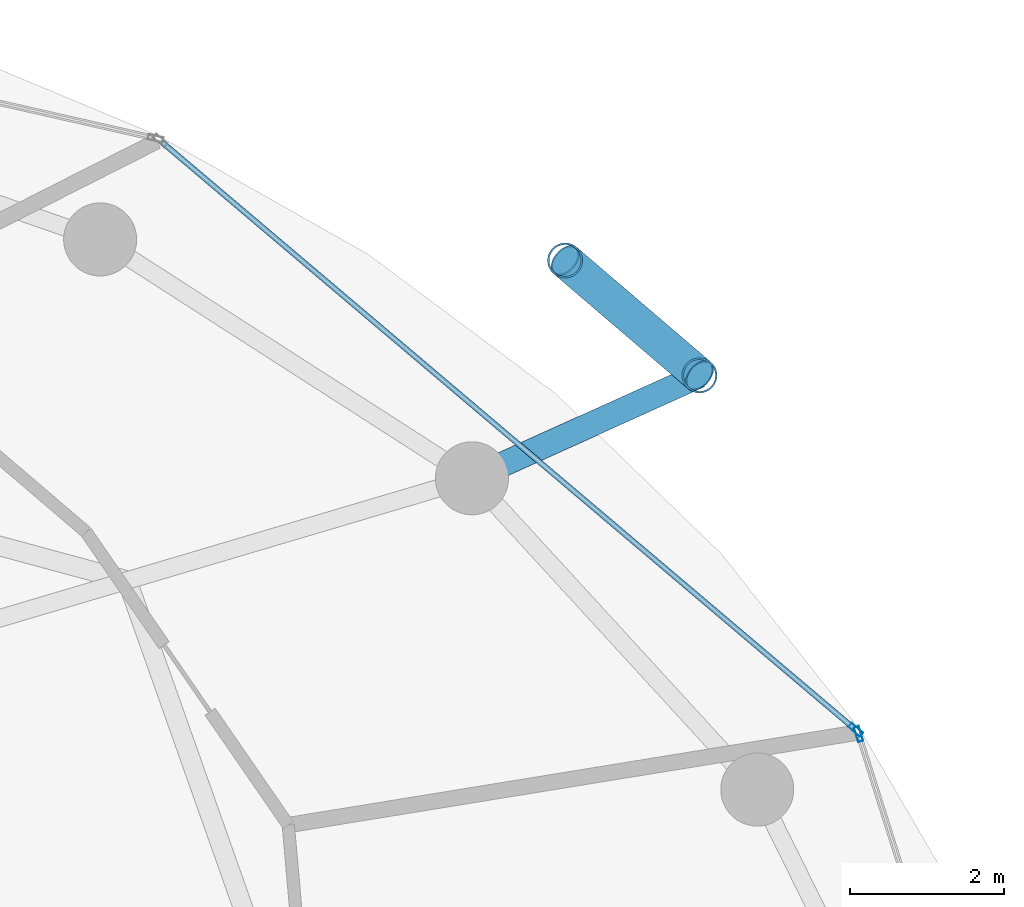
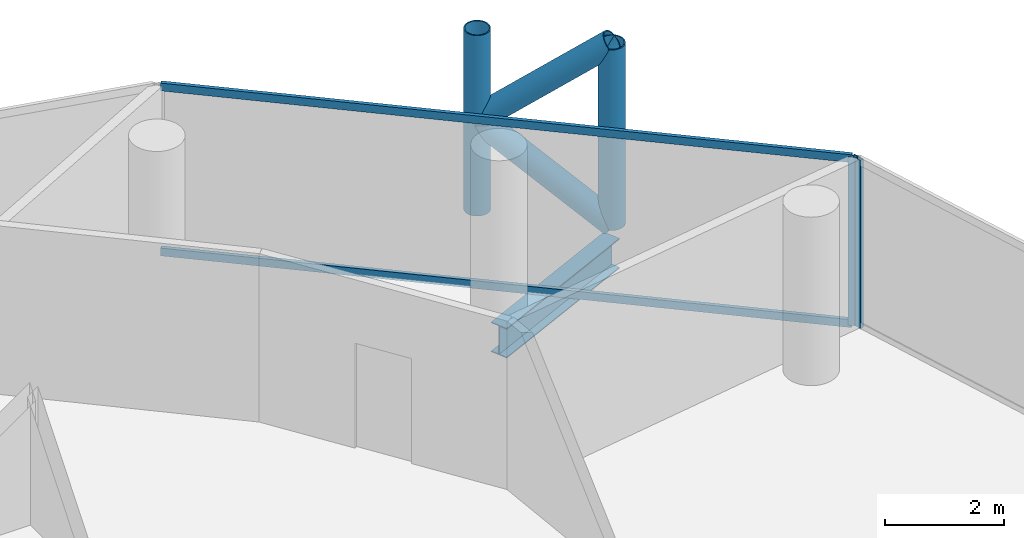
# One storey, part 19 of 26: 8 members, 1 beam, 2 elements without a shape of their own.
"""IFC4 building model written with IfcOpenShell, lengths in metres."""

import ifcopenshell
import ifcopenshell.guid

model = None  # the IFC model being written
_history = None  # IfcOwnerHistory: only IFC2X3 demands one
_inside = {}  # id of a spatial element -> (the spatial element, [elements in it])
_under = {}  # id of a project, library or spatial element -> (it, [spatial elements below it])
_declared = {}  # id of a project -> (the project, [libraries it declares])
_typed = {}  # id of a type object -> (the type object, [elements of that type])
_made_of = {}  # id of a material, layer set ... -> (it, [elements and type objects made of it])


def new_model(schema):
    """Start an empty IFC model of exactly this schema.

    Asked for "IFC4X3", IfcOpenShell would pick the latest addendum, in which some entities
    have other attributes; the version numbers below select the first issue.
    IFC2X3 requires an IfcOwnerHistory on every rooted entity: one is made here for all.
    """
    global model, _history
    if schema == "IFC4X3":
        model = ifcopenshell.file(schema_version=(4, 3, 0, 0))
    else:
        model = ifcopenshell.file(schema=schema)
    _inside.clear()
    _under.clear()
    _declared.clear()
    _typed.clear()
    _made_of.clear()
    _history = None
    if model.schema == "IFC2X3":
        org = make("IfcOrganization", Name="unknown")
        user = make(
            "IfcPersonAndOrganization",
            ThePerson=make("IfcPerson", FamilyName="unknown"),
            TheOrganization=org,
        )
        app = make(
            "IfcApplication",
            ApplicationDeveloper=org,
            Version="unknown",
            ApplicationFullName="unknown",
            ApplicationIdentifier="unknown",
        )
        _history = make(
            "IfcOwnerHistory",
            OwningUser=user,
            OwningApplication=app,
            ChangeAction="ADDED",
            CreationDate=0,
        )
    return model


def make(cls, **values):
    """One entity of the class cls with the attributes given. An attribute that is None is left unset."""
    return model.create_entity(
        cls, **{name: value for name, value in values.items() if value is not None}
    )


def rooted(cls, **values):
    """An entity with a GlobalId (a new one), such as an element, a storey or a relation."""
    return make(cls, GlobalId=ifcopenshell.guid.new(), OwnerHistory=_history, **values)


def si_unit(unit_type, name, prefix=None):
    """IfcSIUnit, for example si_unit("LENGTHUNIT", "METRE", prefix="MILLI")."""
    return make("IfcSIUnit", UnitType=unit_type, Prefix=prefix, Name=name)


def assignment(units):
    """IfcUnitAssignment: the units of a project."""
    return None if units is None else make("IfcUnitAssignment", Units=units)


def point(xyz):
    """IfcCartesianPoint."""
    return None if xyz is None else make("IfcCartesianPoint", Coordinates=xyz)


def direction(xyz):
    """IfcDirection."""
    return None if xyz is None else make("IfcDirection", DirectionRatios=xyz)


def frame(location, z_axis=None, x_axis=None):
    """IfcAxis2Placement3D, a coordinate frame: its origin and axes. An axis left out is left unset."""
    return make(
        "IfcAxis2Placement3D",
        Location=point(location),
        Axis=direction(z_axis),
        RefDirection=direction(x_axis),
    )


def frame_2d(location, x_axis=None):
    """IfcAxis2Placement2D, a coordinate frame in the plane: its origin and x axis."""
    return make(
        "IfcAxis2Placement2D", Location=point(location), RefDirection=direction(x_axis)
    )


def origin():
    """The frame at (0, 0, 0) with its axes left unset."""
    return frame((0.0, 0.0, 0.0))


def origin_2d():
    """The frame at (0, 0) in the plane with its x axis left unset."""
    return frame_2d((0.0, 0.0))


def place(relative_to, where):
    """IfcLocalPlacement: puts the frame where relative to a parent placement (None: the world)."""
    return make(
        "IfcLocalPlacement", PlacementRelTo=relative_to, RelativePlacement=where
    )


def context(
    kind, dimensions, precision=None, world=None, true_north=None, identifier=None
):
    """IfcGeometricRepresentationContext, for example the 3D "Model" context."""
    return make(
        "IfcGeometricRepresentationContext",
        ContextIdentifier=identifier,
        ContextType=kind,
        CoordinateSpaceDimension=dimensions,
        Precision=precision,
        WorldCoordinateSystem=world,
        TrueNorth=true_north,
    )


def subcontext(parent, identifier, kind, view, scale=None):
    """IfcGeometricRepresentationSubContext, for example "Body" below "Model"."""
    return make(
        "IfcGeometricRepresentationSubContext",
        ContextIdentifier=identifier,
        ContextType=kind,
        ParentContext=parent,
        TargetScale=scale,
        TargetView=view,
    )


def project(units=None, contexts=None):
    """IfcProject with its units and contexts."""
    return rooted(
        "IfcProject",
        Name="project",
        RepresentationContexts=contexts,
        UnitsInContext=assignment(units),
    )


def spatial(cls, under=None, at=None, **own):
    """A site, building, storey or space (cls), placed at a placement, below another one or the project."""
    s = rooted(cls, ObjectPlacement=at, **own)
    if under is not None:
        _under.setdefault(under.id(), (under, []))[1].append(s)
    return s


def profile(cls, at=None, kind="AREA", **sizes):
    """A parametric profile (cls). Its sizes go by their IFC names, for example OverallWidth=200.0."""
    return make(cls, ProfileType=kind, Position=at, **sizes)


def hollow_rectangle(**sizes):
    """IfcRectangleHollowProfileDef."""
    return profile("IfcRectangleHollowProfileDef", **sizes)


def hollow_circle(**sizes):
    """IfcCircleHollowProfileDef."""
    return profile("IfcCircleHollowProfileDef", **sizes)


def i_section(**sizes):
    """IfcIShapeProfileDef."""
    return profile("IfcIShapeProfileDef", **sizes)


def extrude(swept, where, along, depth):
    """IfcExtrudedAreaSolid: the profile swept, set in the frame where, extruded along a direction by depth."""
    return make(
        "IfcExtrudedAreaSolid",
        SweptArea=swept,
        Position=where,
        ExtrudedDirection=direction(along),
        Depth=depth,
    )


def shape(context_of_items, identifier, shape_type, items):
    """IfcShapeRepresentation: the items that make up one representation, for example the "Body"."""
    return make(
        "IfcShapeRepresentation",
        ContextOfItems=context_of_items,
        RepresentationIdentifier=identifier,
        RepresentationType=shape_type,
        Items=items,
    )


def material(Name=None, Category=None):
    """IfcMaterial."""
    return make("IfcMaterial", Name=Name, Category=Category)


def layer(
    of_material, thickness, ventilated=None, Name=None, Category=None, Priority=None
):
    """IfcMaterialLayer: one layer of a wall or slab, of a material (None: an air gap)."""
    return make(
        "IfcMaterialLayer",
        Material=of_material,
        LayerThickness=thickness,
        IsVentilated=ventilated,
        Name=Name,
        Category=Category,
        Priority=Priority,
    )


def layer_set(layers, Name=None):
    """IfcMaterialLayerSet."""
    return make("IfcMaterialLayerSet", MaterialLayers=layers, LayerSetName=Name)


def material_profile(
    of_material, cross_section, Name=None, Category=None, Priority=None
):
    """IfcMaterialProfile: a cross section and its material."""
    return make(
        "IfcMaterialProfile",
        Name=Name,
        Material=of_material,
        Profile=cross_section,
        Priority=Priority,
        Category=Category,
    )


def profile_set(profiles, Name=None, composite=None):
    """IfcMaterialProfileSet."""
    return make(
        "IfcMaterialProfileSet",
        Name=Name,
        MaterialProfiles=profiles,
        CompositeProfile=composite,
    )


def made_of(thing, what):
    """Note that an element or type object is made of a material, layer set ...; save() writes the relation."""
    if what is not None:
        _made_of.setdefault(what.id(), (what, []))[1].append(thing)
    return thing


def type_object(cls, material=None, **own):
    """A type object (cls), such as IfcWallType, which elements share."""
    return made_of(rooted(cls, **own), material)


def element(
    cls,
    number,
    at=None,
    inside=None,
    cuts=None,
    type_object=None,
    material=None,
    context=None,
    identifier="Body",
    shape_type=None,
    held_by="IfcProductDefinitionShape",
    body=None,
    shapes=None,
    **own,
):
    """One element of the class cls, such as IfcWall. Its Tag is "e" and its number.

    at: its placement. inside: the storey or other place that contains it. cuts: it is an
    opening in that element (IfcRelVoidsElement). A single representation is given by context,
    identifier, shape_type and body (its items); several are given by shapes. held_by: the class
    of the entity that holds the representations. save() writes the other relations.
    """
    e = rooted(cls, Tag="e%d" % number, ObjectPlacement=at, **own)
    if body is not None:
        shapes = [shape(context, identifier, shape_type, body)]
    if shapes is not None:
        e.Representation = make(held_by, Representations=shapes)
    if inside is not None:
        _inside.setdefault(inside.id(), (inside, []))[1].append(e)
    if cuts is not None:
        rooted(
            "IfcRelVoidsElement", RelatingBuildingElement=cuts, RelatedOpeningElement=e
        )
    if type_object is not None:
        _typed.setdefault(type_object.id(), (type_object, []))[1].append(e)
    return made_of(e, material)


def aggregate(whole, parts):
    """IfcRelAggregates: a whole, such as a stair, and the parts it consists of."""
    return rooted("IfcRelAggregates", RelatingObject=whole, RelatedObjects=parts)


def save(model, path):
    """Write the relations noted so far, then the file.

    IfcRelAggregates (storeys below a building ...), IfcRelContainedInSpatialStructure (elements
    in a storey), IfcRelDefinesByType, IfcRelAssociatesMaterial and IfcRelDeclares: one each for
    every whole, place, type object, material and project.
    """
    for whole, parts in _under.values():
        aggregate(whole, parts)
    for where, things in _inside.values():
        rooted(
            "IfcRelContainedInSpatialStructure",
            RelatedElements=things,
            RelatingStructure=where,
        )
    for kind, things in _typed.values():
        rooted("IfcRelDefinesByType", RelatedObjects=things, RelatingType=kind)
    for what, things in _made_of.values():
        rooted("IfcRelAssociatesMaterial", RelatedObjects=things, RelatingMaterial=what)
    for by, libraries in _declared.values():
        rooted("IfcRelDeclares", RelatingContext=by, RelatedDefinitions=libraries)
    model.write(path)


model = new_model("IFC4")

# Units and contexts
model_context = context("Model", 3, precision=1e-05, world=origin(), true_north=direction((0.0, 1.0)))
body_context = subcontext(model_context, "Body", "Model", "MODEL_VIEW")
ifc_project = project(units=[si_unit("LENGTHUNIT", "METRE"), si_unit("AREAUNIT", "SQUARE_METRE"), si_unit("VOLUMEUNIT", "CUBIC_METRE"), si_unit("PLANEANGLEUNIT", "RADIAN"), si_unit("MASSUNIT", "GRAM", prefix="KILO")], contexts=[model_context])

# Site, building, storey
site_placement = place(None, origin())
site = spatial("IfcSite", under=ifc_project, at=site_placement, CompositionType="ELEMENT")
building_placement = place(site_placement, origin())
building = spatial("IfcBuilding", under=site, at=building_placement, Name="Nuhasar Tower", CompositionType="ELEMENT")
storey_placement = place(building_placement, frame((0.0, 0.0, 184.85009765625)))
storey = spatial("IfcBuildingStorey", under=building, at=storey_placement, Name="L45", CompositionType="ELEMENT", Elevation=184.85009765625)

# Beam
ifc_material_1 = material(Name="Steel S355", Category="steel")
ifc_material_profile_1 = material_profile(ifc_material_1, i_section(OverallWidth=0.323974609375, OverallDepth=0.611083984375, WebThickness=0.0126953125, FlangeThickness=0.01904296875, at=origin_2d()), Name="W24X104")
ifc_profile_set_1 = profile_set([ifc_material_profile_1], Name="Steel S355")
beam_type = type_object("IfcBeamType", Name="BM-TIE-W24X104", PredefinedType="BEAM", material=ifc_profile_set_1)
beam_placement = place(storey_placement, frame((55.510986328125, 40.6240234375, -0.55615234375), z_axis=(0.911239591969, 0.411876687891, 0.0), x_axis=(-0.411876687891, 0.911239591969, 0.0)))
element("IfcBeam", 1, at=beam_placement, inside=storey, type_object=beam_type, Name="L45 Exoskeleton Node Tie Beam 02", PredefinedType="BEAM", context=body_context, shape_type="SweptSolid", body=[
    extrude(i_section(OverallWidth=0.323974609375, OverallDepth=0.611083984375, WebThickness=0.0126953125, FlangeThickness=0.01904296875, at=origin_2d()), origin(), (0.0, 0.0, 1.0), 3.248291015625),
])

# Curtain wall, member
ifc_material_2 = material(Name="Aluminium 6063-T6", Category="aluminium")
ifc_layer = layer(ifc_material_2, 0.199951171875)
ifc_layer_set = layer_set([ifc_layer], Name="Aluminium 6063-T6")
curtain_wall_type = type_object("IfcCurtainWallType", Name="CW-Z2-HTL", PredefinedType="NOTDEFINED", material=ifc_layer_set)
curtain_wall_1_placement = place(storey_placement, origin())
curtain_wall_1 = element("IfcCurtainWall", 2, at=curtain_wall_1_placement, inside=storey, type_object=curtain_wall_type, Name="L45 Unitised Curtain Wall 01", PredefinedType="NOTDEFINED")
ifc_material_profile_2 = material_profile(ifc_material_2, hollow_rectangle(XDim=0.070068359375, YDim=0.199951171875, WallThickness=0.0048828125, at=origin_2d()), Name="CWM-3")
ifc_profile_set_2 = profile_set([ifc_material_profile_2], Name="Aluminium 6063-T6")
member_type_1 = type_object("IfcMemberType", Name="CW-MUL-S3", PredefinedType="MULLION", material=ifc_profile_set_2)
member_1_placement = place(storey_placement, frame((60.53955078125, 37.296630859375, 0.0), z_axis=(0.0, 0.0, 1.0), x_axis=(-0.953433389233, -0.301603667577, 0.0)))
member_1 = element("IfcMember", 3, at=member_1_placement, type_object=member_type_1, Name="CW-Z2 mullion 2", PredefinedType="MULLION", context=body_context, shape_type="SweptSolid", body=[
    extrude(hollow_rectangle(XDim=0.070068359375, YDim=0.199951171875, WallThickness=0.0048828125, at=origin_2d()), origin(), (0.0, 0.0, 1.0), 3.449951171875),
])
aggregate(curtain_wall_1, [member_1])

# Curtain wall, members
curtain_wall_2_placement = place(storey_placement, origin())
curtain_wall_2 = element("IfcCurtainWall", 4, at=curtain_wall_2_placement, inside=storey, type_object=curtain_wall_type, Name="L45 Unitised Curtain Wall 02", PredefinedType="NOTDEFINED")
member_2_placement = place(storey_placement, frame((60.502197265625, 37.3525390625, 0.0), z_axis=(0.0, 0.0, 1.0), x_axis=(-0.646374438324, -0.763020370292, 0.0)))
member_2 = element("IfcMember", 5, at=member_2_placement, type_object=member_type_1, Name="CW-Z2 mullion 1", PredefinedType="MULLION", context=body_context, shape_type="SweptSolid", body=[
    extrude(hollow_rectangle(XDim=0.070068359375, YDim=0.199951171875, WallThickness=0.0048828125, at=origin_2d()), origin(), (0.0, 0.0, 1.0), 3.449951171875),
])
ifc_material_profile_3 = material_profile(ifc_material_2, hollow_rectangle(XDim=0.070068359375, YDim=0.159912109375, WallThickness=0.00439453125, at=origin_2d()), Name="CWT-3")
ifc_profile_set_3 = profile_set([ifc_material_profile_3], Name="Aluminium 6063-T6")
member_type_2 = type_object("IfcMemberType", Name="CW-TRN-S3", PredefinedType="USERDEFINED", material=ifc_profile_set_3)
member_3_placement = place(storey_placement, frame((60.4755859375, 37.375244140625, 0.034912109375), z_axis=(-0.763023915269, 0.646370253592, 0.0), x_axis=(-0.646370253592, -0.763023915269, 0.0)))
member_3 = element("IfcMember", 6, at=member_3_placement, type_object=member_type_2, Name="CW-Z2 transom 1.1", ObjectType="TRANSOM", PredefinedType="USERDEFINED", context=body_context, shape_type="SweptSolid", body=[
    extrude(hollow_rectangle(XDim=0.070068359375, YDim=0.159912109375, WallThickness=0.00439453125, at=origin_2d()), origin(), (0.0, 0.0, 1.0), 11.784912109375),
])
member_4_placement = place(storey_placement, frame((60.4755859375, 37.375244140625, 3.414794921875), z_axis=(-0.763023915269, 0.646370253592, 0.0), x_axis=(-0.646370253592, -0.763023915269, 0.0)))
member_4 = element("IfcMember", 7, at=member_4_placement, type_object=member_type_2, Name="CW-Z2 transom 1.2", ObjectType="TRANSOM", PredefinedType="USERDEFINED", context=body_context, shape_type="SweptSolid", body=[
    extrude(hollow_rectangle(XDim=0.070068359375, YDim=0.159912109375, WallThickness=0.00439453125, at=origin_2d()), origin(), (0.0, 0.0, 1.0), 11.784912109375),
])
aggregate(curtain_wall_2, [member_2, member_3, member_4])

# Members
ifc_material_3 = material(Name="Steel S460", Category="steel")
ifc_material_profile_4 = material_profile(ifc_material_3, hollow_circle(Radius=0.228515625, WallThickness=0.022216796875, at=origin_2d()), Name="HSS457X22.2")
ifc_profile_set_4 = profile_set([ifc_material_profile_4], Name="Steel S460")
member_type_3 = type_object("IfcMemberType", Name="EXO-BRONZE-457", PredefinedType="BRACE", material=ifc_profile_set_4)
for number, where, z_axis, x_axis, name in (
    (8, (58.470947265625, 41.9619140625, 0.0), (0.0, 0.0, 1.0), (1.0, 0.0, 0.0), "L45 Exoskeleton Chord Column EC-02A"),
    (9, (56.722900390625, 43.45703125, 0.0), (0.0, 0.0, 1.0), (1.0, 0.0, 0.0), "L45 Exoskeleton Chord Column EC-02B"),
):
    element("IfcMember", number, at=place(storey_placement, frame(where, z_axis=z_axis, x_axis=x_axis)), inside=storey, type_object=member_type_3, Name=name, PredefinedType="BRACE", context=body_context, shape_type="SweptSolid", body=[
        extrude(hollow_circle(Radius=0.228515625, WallThickness=0.022216796875, at=origin_2d()), origin(), (0.0, 0.0, 1.0), 3.699951171875),
    ])
member_5_placement = place(storey_placement, frame((58.470947265625, 41.9619140625, 0.0), z_axis=(-0.592201065785, 0.506513872468, 0.626690988192), x_axis=(-0.649986859795, -0.759945446788, 0.0)))
element("IfcMember", 10, at=member_5_placement, inside=storey, type_object=member_type_3, Name="L45 Bronze Diagrid Brace W1-02", PredefinedType="BRACE", context=body_context, shape_type="SweptSolid", body=[
    extrude(hollow_circle(Radius=0.228515625, WallThickness=0.022216796875, at=origin_2d()), origin(), (0.0, 0.0, 1.0), 2.95166015625),
])
member_6_placement = place(storey_placement, frame((56.722900390625, 43.45703125, 1.849853515625), z_axis=(0.592170370358, -0.506487618445, 0.626741210415), x_axis=(0.649986859795, 0.759945446788, 0.0)))
element("IfcMember", 11, at=member_6_placement, inside=storey, type_object=member_type_3, Name="L45 Bronze Diagrid Brace W2-02", PredefinedType="BRACE", context=body_context, shape_type="SweptSolid", body=[
    extrude(hollow_circle(Radius=0.228515625, WallThickness=0.022216796875, at=origin_2d()), origin(), (0.0, 0.0, 1.0), 2.951904296875),
])

save(model, "model.ifc")
